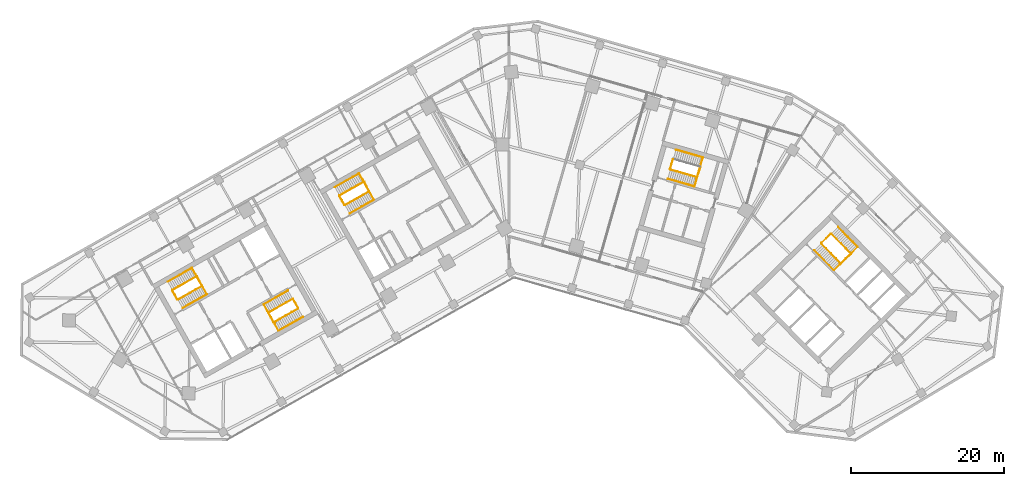
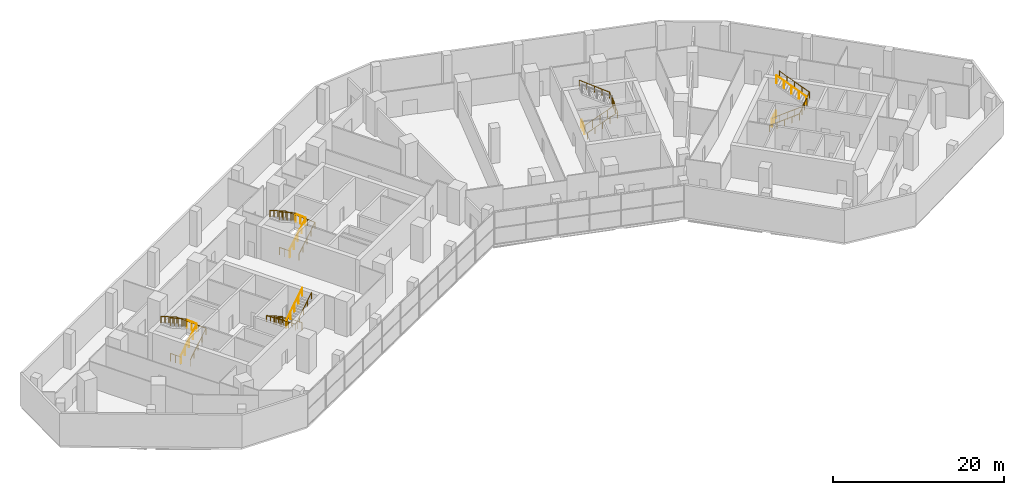
# One storey, part 14 of 15: 19 railings.
"""IFC4 building model written with IfcOpenShell, lengths in metres."""

from ifc_helpers import new_model, si_unit, direction, frame, origin, origin_2d, place, context, subcontext, project, spatial, circle, extrude, material, type_object, element, save


model = new_model("IFC4")

# Units and contexts
model_context = context("Model", 3, precision=1e-05, world=origin(), true_north=direction((0.0, 1.0)))
body_context = subcontext(model_context, "Body", "Model", "MODEL_VIEW")
ifc_project = project(units=[si_unit("LENGTHUNIT", "METRE"), si_unit("AREAUNIT", "SQUARE_METRE"), si_unit("VOLUMEUNIT", "CUBIC_METRE"), si_unit("PLANEANGLEUNIT", "RADIAN"), si_unit("MASSUNIT", "GRAM", prefix="KILO")], contexts=[model_context])

# Site, building, storey
site_placement = place(None, origin())
site = spatial("IfcSite", under=ifc_project, at=site_placement, CompositionType="ELEMENT")
building_placement = place(site_placement, origin())
building = spatial("IfcBuilding", under=site, at=building_placement, Name="Binnacle Exchange Tower", CompositionType="ELEMENT")
storey_placement = place(building_placement, frame((0.0, 0.0, 16.5)))
storey = spatial("IfcBuildingStorey", under=building, at=storey_placement, Name="L03", CompositionType="ELEMENT", Elevation=16.5)

# Railings
ifc_material_1 = material(Name="Steel guard rail", Category="steel")
railing_type_1 = type_object("IfcRailingType", Name="STAIR GUARD 1100", PredefinedType="GUARDRAIL", material=ifc_material_1)
railing_1_placement = place(storey_placement, frame((-43.26171875, 39.71728515625, 0.178466796875)))
element("IfcRailing", 1, at=railing_1_placement, inside=storey, type_object=railing_type_1, Name="L03 STA1 stair guard 1", PredefinedType="GUARDRAIL", context=body_context, shape_type="SweptSolid", body=[
    extrude(circle(Radius=0.02392578125, at=origin_2d()), frame((0.0, 0.0, 1.076171875), z_axis=(0.733795554141, 0.415191658331, 0.537735968274), x_axis=(-0.492450612189, 0.870340390052, 0.0)), (0.0, 0.0, 1.0), 4.317138671875),
    extrude(circle(Radius=0.02392578125, at=origin_2d()), frame((3.16796875, 1.79248046875, 3.3974609375), z_axis=(-0.460963092712, 0.887419307406, 0.0), x_axis=(-0.887419307406, -0.460963092712, 0.0)), (0.0, 0.0, 1.0), 1.40087890625),
    extrude(circle(Radius=0.02099609375, at=origin_2d()), origin(), (0.0, 0.0, 1.0), 1.052001953125),
    extrude(circle(Radius=0.02099609375, at=origin_2d()), frame((0.7919921875, 0.4482421875, 0.580322265625)), (0.0, 0.0, 1.0), 1.052001953125),
    extrude(circle(Radius=0.02099609375, at=origin_2d()), frame((1.583984375, 0.896240234375, 1.16064453125)), (0.0, 0.0, 1.0), 1.052001953125),
    extrude(circle(Radius=0.02099609375, at=origin_2d()), frame((2.3759765625, 1.34423828125, 1.7412109375)), (0.0, 0.0, 1.0), 1.052001953125),
    extrude(circle(Radius=0.02099609375, at=origin_2d()), frame((3.16796875, 1.79248046875, 2.321533203125)), (0.0, 0.0, 1.0), 1.052001953125),
    extrude(circle(Radius=0.02099609375, at=origin_2d()), frame((2.84521484375, 2.4140625, 2.321533203125)), (0.0, 0.0, 1.0), 1.052001953125),
    extrude(circle(Radius=0.02099609375, at=origin_2d()), frame((2.522216796875, 3.03564453125, 2.321533203125)), (0.0, 0.0, 1.0), 1.052001953125),
])
railing_2_placement = place(storey_placement, frame((-40.8076171875, 42.771728515625, 2.678466796875)))
element("IfcRailing", 2, at=railing_2_placement, inside=storey, type_object=railing_type_1, Name="L03 STA1 stair guard 2", PredefinedType="GUARDRAIL", context=body_context, shape_type="SweptSolid", body=[
    extrude(circle(Radius=0.02392578125, at=origin_2d()), frame((0.0, 0.0, 1.076171875), z_axis=(-0.733821652932, -0.415174429824, 0.537713654753), x_axis=(0.492421866095, -0.870356654361, 0.0)), (0.0, 0.0, 1.0), 4.3173828125),
    extrude(circle(Radius=0.02099609375, at=origin_2d()), origin(), (0.0, 0.0, 1.0), 1.052001953125),
    extrude(circle(Radius=0.02099609375, at=origin_2d()), frame((-0.7919921875, -0.4482421875, 0.580322265625)), (0.0, 0.0, 1.0), 1.052001953125),
    extrude(circle(Radius=0.02099609375, at=origin_2d()), frame((-1.583984375, -0.896240234375, 1.16064453125)), (0.0, 0.0, 1.0), 1.052001953125),
    extrude(circle(Radius=0.02099609375, at=origin_2d()), frame((-2.376220703125, -1.34423828125, 1.7412109375)), (0.0, 0.0, 1.0), 1.052001953125),
    extrude(circle(Radius=0.02099609375, at=origin_2d()), frame((-3.168212890625, -1.79248046875, 2.321533203125)), (0.0, 0.0, 1.0), 1.052001953125),
])
railing_3_placement = place(storey_placement, frame((-43.329833984375, 39.736328125, 0.0)))
element("IfcRailing", 3, at=railing_3_placement, inside=storey, type_object=railing_type_1, Name="L03 STA1 stair guard 3", PredefinedType="GUARDRAIL", context=body_context, shape_type="SweptSolid", body=[
    extrude(circle(Radius=0.02392578125, at=origin_2d()), frame((0.0, 0.0, 1.076171875), z_axis=(-0.4924922531, 0.870316827734, 0.0), x_axis=(-0.870316827734, -0.4924922531, 0.0)), (0.0, 0.0, 1.0), 1.349853515625),
    extrude(circle(Radius=0.02099609375, at=origin_2d()), origin(), (0.0, 0.0, 1.0), 1.052001953125),
    extrude(circle(Radius=0.02099609375, at=origin_2d()), frame((-0.33251953125, 0.58740234375, 0.0)), (0.0, 0.0, 1.0), 1.052001953125),
    extrude(circle(Radius=0.02099609375, at=origin_2d()), frame((-0.664794921875, 1.1748046875, 0.0)), (0.0, 0.0, 1.0), 1.052001953125),
])
railing_4_placement = place(storey_placement, frame((-28.265380859375, 39.814453125, 0.178466796875)))
element("IfcRailing", 4, at=railing_4_placement, inside=storey, type_object=railing_type_1, Name="L03 STA2 stair guard 1", PredefinedType="GUARDRAIL", context=body_context, shape_type="SweptSolid", body=[
    extrude(circle(Radius=0.02392578125, at=origin_2d()), frame((0.0, 0.0, 1.076171875), z_axis=(-0.733821652932, -0.415174429824, 0.537713654753), x_axis=(0.492421866095, -0.870356654361, 0.0)), (0.0, 0.0, 1.0), 4.3173828125),
    extrude(circle(Radius=0.02392578125, at=origin_2d()), frame((-3.168212890625, -1.79248046875, 3.3974609375), z_axis=(0.461100321709, -0.887348011391, 0.0), x_axis=(0.887348011391, 0.461100321709, 0.0)), (0.0, 0.0, 1.0), 1.40087890625),
    extrude(circle(Radius=0.02099609375, at=origin_2d()), origin(), (0.0, 0.0, 1.0), 1.052001953125),
    extrude(circle(Radius=0.02099609375, at=origin_2d()), frame((-0.7919921875, -0.4482421875, 0.580322265625)), (0.0, 0.0, 1.0), 1.052001953125),
    extrude(circle(Radius=0.02099609375, at=origin_2d()), frame((-1.583984375, -0.896240234375, 1.16064453125)), (0.0, 0.0, 1.0), 1.052001953125),
    extrude(circle(Radius=0.02099609375, at=origin_2d()), frame((-2.376220703125, -1.34423828125, 1.7412109375)), (0.0, 0.0, 1.0), 1.052001953125),
    extrude(circle(Radius=0.02099609375, at=origin_2d()), frame((-3.168212890625, -1.79248046875, 2.321533203125)), (0.0, 0.0, 1.0), 1.052001953125),
    extrude(circle(Radius=0.02099609375, at=origin_2d()), frame((-2.84521484375, -2.4140625, 2.321533203125)), (0.0, 0.0, 1.0), 1.052001953125),
    extrude(circle(Radius=0.02099609375, at=origin_2d()), frame((-2.522216796875, -3.03564453125, 2.321533203125)), (0.0, 0.0, 1.0), 1.052001953125),
])
railing_5_placement = place(storey_placement, frame((-30.719482421875, 36.760009765625, 2.678466796875)))
element("IfcRailing", 5, at=railing_5_placement, inside=storey, type_object=railing_type_1, Name="L03 STA2 stair guard 2", PredefinedType="GUARDRAIL", context=body_context, shape_type="SweptSolid", body=[
    extrude(circle(Radius=0.02392578125, at=origin_2d()), frame((0.0, 0.0, 1.076171875), z_axis=(0.733795554141, 0.415191658331, 0.537735968274), x_axis=(-0.492450612189, 0.870340390052, 0.0)), (0.0, 0.0, 1.0), 4.317138671875),
    extrude(circle(Radius=0.02099609375, at=origin_2d()), origin(), (0.0, 0.0, 1.0), 1.052001953125),
    extrude(circle(Radius=0.02099609375, at=origin_2d()), frame((0.7919921875, 0.4482421875, 0.580322265625)), (0.0, 0.0, 1.0), 1.052001953125),
    extrude(circle(Radius=0.02099609375, at=origin_2d()), frame((1.583984375, 0.896240234375, 1.16064453125)), (0.0, 0.0, 1.0), 1.052001953125),
    extrude(circle(Radius=0.02099609375, at=origin_2d()), frame((2.3759765625, 1.34423828125, 1.7412109375)), (0.0, 0.0, 1.0), 1.052001953125),
    extrude(circle(Radius=0.02099609375, at=origin_2d()), frame((3.16796875, 1.79248046875, 2.321533203125)), (0.0, 0.0, 1.0), 1.052001953125),
])
railing_6_placement = place(storey_placement, frame((-28.197265625, 39.795654296875, 0.0)))
element("IfcRailing", 6, at=railing_6_placement, inside=storey, type_object=railing_type_1, Name="L03 STA2 stair guard 3", PredefinedType="GUARDRAIL", context=body_context, shape_type="SweptSolid", body=[
    extrude(circle(Radius=0.02392578125, at=origin_2d()), frame((0.0, 0.0, 1.076171875), z_axis=(0.49241474071, -0.870360685654, 0.0), x_axis=(0.870360685654, 0.49241474071, 0.0)), (0.0, 0.0, 1.0), 1.35009765625),
    extrude(circle(Radius=0.02099609375, at=origin_2d()), origin(), (0.0, 0.0, 1.0), 1.052001953125),
    extrude(circle(Radius=0.02099609375, at=origin_2d()), frame((0.33251953125, -0.58740234375, 0.0)), (0.0, 0.0, 1.0), 1.052001953125),
    extrude(circle(Radius=0.02099609375, at=origin_2d()), frame((0.664794921875, -1.175048828125, 0.0)), (0.0, 0.0, 1.0), 1.052001953125),
])
railing_7_placement = place(storey_placement, frame((40.822509765625, 47.046875, 0.178466796875)))
element("IfcRailing", 7, at=railing_7_placement, inside=storey, type_object=railing_type_1, Name="L03 STB1 stair guard 1", PredefinedType="GUARDRAIL", context=body_context, shape_type="SweptSolid", body=[
    extrude(circle(Radius=0.02392578125, at=origin_2d()), frame((0.0, 0.0, 1.076171875), z_axis=(0.590946962671, -0.60135215321, 0.537733461056), x_axis=(0.713250539553, 0.700909172309, 0.0)), (0.0, 0.0, 1.0), 4.317138671875),
    extrude(circle(Radius=0.02392578125, at=origin_2d()), frame((2.55126953125, -2.59619140625, 3.3974609375), z_axis=(0.732527851538, 0.680737061369, 0.0), x_axis=(-0.680737061369, 0.732527851538, 0.0)), (0.0, 0.0, 1.0), 1.80078125),
    extrude(circle(Radius=0.02099609375, at=origin_2d()), origin(), (0.0, 0.0, 1.0), 1.052001953125),
    extrude(circle(Radius=0.02099609375, at=origin_2d()), frame((0.6376953125, -0.64892578125, 0.580322265625)), (0.0, 0.0, 1.0), 1.052001953125),
    extrude(circle(Radius=0.02099609375, at=origin_2d()), frame((1.275634765625, -1.298095703125, 1.16064453125)), (0.0, 0.0, 1.0), 1.052001953125),
    extrude(circle(Radius=0.02099609375, at=origin_2d()), frame((1.91357421875, -1.947265625, 1.7412109375)), (0.0, 0.0, 1.0), 1.052001953125),
    extrude(circle(Radius=0.02099609375, at=origin_2d()), frame((2.55126953125, -2.59619140625, 2.321533203125)), (0.0, 0.0, 1.0), 1.052001953125),
    extrude(circle(Radius=0.02099609375, at=origin_2d()), frame((3.2109375, -1.9833984375, 2.321533203125)), (0.0, 0.0, 1.0), 1.052001953125),
    extrude(circle(Radius=0.02099609375, at=origin_2d()), frame((3.870361328125, -1.370361328125, 2.321533203125)), (0.0, 0.0, 1.0), 1.052001953125),
])
railing_8_placement = place(storey_placement, frame((44.693359375, 45.747314453125, 2.678466796875)))
element("IfcRailing", 8, at=railing_8_placement, inside=storey, type_object=railing_type_1, Name="L03 STB1 stair guard 2", PredefinedType="GUARDRAIL", context=body_context, shape_type="SweptSolid", body=[
    extrude(circle(Radius=0.02392578125, at=origin_2d()), frame((0.0, 0.0, 1.076171875), z_axis=(-0.590946962671, 0.60135215321, 0.537733461056), x_axis=(-0.713250539553, -0.700909172309, 0.0)), (0.0, 0.0, 1.0), 4.317138671875),
    extrude(circle(Radius=0.02099609375, at=origin_2d()), origin(), (0.0, 0.0, 1.0), 1.052001953125),
    extrude(circle(Radius=0.02099609375, at=origin_2d()), frame((-0.6376953125, 0.64892578125, 0.580322265625)), (0.0, 0.0, 1.0), 1.052001953125),
    extrude(circle(Radius=0.02099609375, at=origin_2d()), frame((-1.275634765625, 1.298095703125, 1.16064453125)), (0.0, 0.0, 1.0), 1.052001953125),
    extrude(circle(Radius=0.02099609375, at=origin_2d()), frame((-1.91357421875, 1.947265625, 1.7412109375)), (0.0, 0.0, 1.0), 1.052001953125),
    extrude(circle(Radius=0.02099609375, at=origin_2d()), frame((-2.55126953125, 2.59619140625, 2.321533203125)), (0.0, 0.0, 1.0), 1.052001953125),
])
railing_9_placement = place(storey_placement, frame((40.8232421875, 47.117431640625, 0.0)))
element("IfcRailing", 9, at=railing_9_placement, inside=storey, type_object=railing_type_1, Name="L03 STB1 stair guard 3", PredefinedType="GUARDRAIL", context=body_context, shape_type="SweptSolid", body=[
    extrude(circle(Radius=0.02392578125, at=origin_2d()), frame((0.0, 0.0, 1.076171875), z_axis=(0.713218950569, 0.700941316052, 0.0), x_axis=(-0.700941316052, 0.713218950569, 0.0)), (0.0, 0.0, 1.0), 1.75),
    extrude(circle(Radius=0.02099609375, at=origin_2d()), origin(), (0.0, 0.0, 1.0), 1.052001953125),
    extrude(circle(Radius=0.02099609375, at=origin_2d()), frame((0.6240234375, 0.61328125, 0.0)), (0.0, 0.0, 1.0), 1.052001953125),
    extrude(circle(Radius=0.02099609375, at=origin_2d()), frame((1.248046875, 1.2265625, 0.0)), (0.0, 0.0, 1.0), 1.052001953125),
])
railing_10_placement = place(storey_placement, frame((-21.423828125, 52.07275390625, 0.178466796875)))
element("IfcRailing", 10, at=railing_10_placement, inside=storey, type_object=railing_type_1, Name="L03 STC1 stair guard 1", PredefinedType="GUARDRAIL", context=body_context, shape_type="SweptSolid", body=[
    extrude(circle(Radius=0.02392578125, at=origin_2d()), frame((0.0, 0.0, 1.076171875), z_axis=(0.733838880464, 0.415127627455, 0.537726278364), x_axis=(-0.492371057291, 0.870385398511, 0.0)), (0.0, 0.0, 1.0), 4.3173828125),
    extrude(circle(Radius=0.02392578125, at=origin_2d()), frame((3.168212890625, 1.792236328125, 3.3974609375), z_axis=(-0.461100321709, 0.887348011391, 0.0), x_axis=(-0.887348011391, -0.461100321709, 0.0)), (0.0, 0.0, 1.0), 1.40087890625),
    extrude(circle(Radius=0.02099609375, at=origin_2d()), origin(), (0.0, 0.0, 1.0), 1.052001953125),
    extrude(circle(Radius=0.02099609375, at=origin_2d()), frame((0.7919921875, 0.447998046875, 0.580322265625)), (0.0, 0.0, 1.0), 1.052001953125),
    extrude(circle(Radius=0.02099609375, at=origin_2d()), frame((1.583984375, 0.89599609375, 1.16064453125)), (0.0, 0.0, 1.0), 1.052001953125),
    extrude(circle(Radius=0.02099609375, at=origin_2d()), frame((2.376220703125, 1.34423828125, 1.7412109375)), (0.0, 0.0, 1.0), 1.052001953125),
    extrude(circle(Radius=0.02099609375, at=origin_2d()), frame((3.168212890625, 1.792236328125, 2.321533203125)), (0.0, 0.0, 1.0), 1.052001953125),
    extrude(circle(Radius=0.02099609375, at=origin_2d()), frame((2.84521484375, 2.413818359375, 2.321533203125)), (0.0, 0.0, 1.0), 1.052001953125),
    extrude(circle(Radius=0.02099609375, at=origin_2d()), frame((2.522216796875, 3.035400390625, 2.321533203125)), (0.0, 0.0, 1.0), 1.052001953125),
])
railing_11_placement = place(storey_placement, frame((-18.9697265625, 55.126953125, 2.678466796875)))
element("IfcRailing", 11, at=railing_11_placement, inside=storey, type_object=railing_type_1, Name="L03 STC1 stair guard 2", PredefinedType="GUARDRAIL", context=body_context, shape_type="SweptSolid", body=[
    extrude(circle(Radius=0.02392578125, at=origin_2d()), frame((0.0, 0.0, 1.076171875), z_axis=(-0.733812782489, -0.415144854829, 0.537748593457), x_axis=(0.492399802317, -0.870369137021, 0.0)), (0.0, 0.0, 1.0), 4.317138671875),
    extrude(circle(Radius=0.02099609375, at=origin_2d()), origin(), (0.0, 0.0, 1.0), 1.052001953125),
    extrude(circle(Radius=0.02099609375, at=origin_2d()), frame((-0.7919921875, -0.447998046875, 0.580322265625)), (0.0, 0.0, 1.0), 1.052001953125),
    extrude(circle(Radius=0.02099609375, at=origin_2d()), frame((-1.583984375, -0.89599609375, 1.16064453125)), (0.0, 0.0, 1.0), 1.052001953125),
    extrude(circle(Radius=0.02099609375, at=origin_2d()), frame((-2.3759765625, -1.34423828125, 1.7412109375)), (0.0, 0.0, 1.0), 1.052001953125),
    extrude(circle(Radius=0.02099609375, at=origin_2d()), frame((-3.16796875, -1.792236328125, 2.321533203125)), (0.0, 0.0, 1.0), 1.052001953125),
])
railing_12_placement = place(storey_placement, frame((-21.491943359375, 52.091552734375, 0.0)))
element("IfcRailing", 12, at=railing_12_placement, inside=storey, type_object=railing_type_1, Name="L03 STC1 stair guard 3", PredefinedType="GUARDRAIL", context=body_context, shape_type="SweptSolid", body=[
    extrude(circle(Radius=0.02392578125, at=origin_2d()), frame((0.0, 0.0, 1.076171875), z_axis=(-0.49241474071, 0.870360685654, 0.0), x_axis=(-0.870360685654, -0.49241474071, 0.0)), (0.0, 0.0, 1.0), 1.35009765625),
    extrude(circle(Radius=0.02099609375, at=origin_2d()), origin(), (0.0, 0.0, 1.0), 1.052001953125),
    extrude(circle(Radius=0.02099609375, at=origin_2d()), frame((-0.33251953125, 0.58740234375, 0.0)), (0.0, 0.0, 1.0), 1.052001953125),
    extrude(circle(Radius=0.02099609375, at=origin_2d()), frame((-0.664794921875, 1.175048828125, 0.0)), (0.0, 0.0, 1.0), 1.052001953125),
])
railing_13_placement = place(storey_placement, frame((21.086669921875, 56.71044921875, 0.178466796875)))
element("IfcRailing", 13, at=railing_13_placement, inside=storey, type_object=railing_type_1, Name="L03 STD1 stair guard 1", PredefinedType="GUARDRAIL", context=body_context, shape_type="SweptSolid", body=[
    extrude(circle(Radius=0.02392578125, at=origin_2d()), frame((0.0, 0.0, 1.076171875), z_axis=(0.810455892038, -0.232415135102, 0.537721537635), x_axis=(0.275659984683, 0.961255206927, 0.0)), (0.0, 0.0, 1.0), 4.3173828125),
    extrude(circle(Radius=0.02392578125, at=origin_2d()), frame((3.4990234375, -1.00341796875, 3.3974609375), z_axis=(0.309684985722, 0.950839213337, 0.0), x_axis=(-0.950839213337, 0.309684985722, 0.0)), (0.0, 0.0, 1.0), 1.40087890625),
    extrude(circle(Radius=0.02099609375, at=origin_2d()), origin(), (0.0, 0.0, 1.0), 1.052001953125),
    extrude(circle(Radius=0.02099609375, at=origin_2d()), frame((0.874755859375, -0.2509765625, 0.580322265625)), (0.0, 0.0, 1.0), 1.052001953125),
    extrude(circle(Radius=0.02099609375, at=origin_2d()), frame((1.74951171875, -0.501708984375, 1.16064453125)), (0.0, 0.0, 1.0), 1.052001953125),
    extrude(circle(Radius=0.02099609375, at=origin_2d()), frame((2.624267578125, -0.75244140625, 1.7412109375)), (0.0, 0.0, 1.0), 1.052001953125),
    extrude(circle(Radius=0.02099609375, at=origin_2d()), frame((3.4990234375, -1.00341796875, 2.321533203125)), (0.0, 0.0, 1.0), 1.052001953125),
    extrude(circle(Radius=0.02099609375, at=origin_2d()), frame((3.7158203125, -0.33740234375, 2.321533203125)), (0.0, 0.0, 1.0), 1.052001953125),
    extrude(circle(Radius=0.02099609375, at=origin_2d()), frame((3.932861328125, 0.32861328125, 2.321533203125)), (0.0, 0.0, 1.0), 1.052001953125),
])
railing_14_placement = place(storey_placement, frame((21.05224609375, 56.772216796875, 0.0)))
element("IfcRailing", 14, at=railing_14_placement, inside=storey, type_object=railing_type_1, Name="L03 STD1 stair guard 3", PredefinedType="GUARDRAIL", context=body_context, shape_type="SweptSolid", body=[
    extrude(circle(Radius=0.02392578125, at=origin_2d()), frame((0.0, 0.0, 1.076171875), z_axis=(0.275795817769, 0.961216243569, 0.0), x_axis=(-0.961216243569, 0.275795817769, 0.0)), (0.0, 0.0, 1.0), 1.349853515625),
    extrude(circle(Radius=0.02099609375, at=origin_2d()), origin(), (0.0, 0.0, 1.0), 1.052001953125),
    extrude(circle(Radius=0.02099609375, at=origin_2d()), frame((0.18603515625, 0.64892578125, 0.0)), (0.0, 0.0, 1.0), 1.052001953125),
    extrude(circle(Radius=0.02099609375, at=origin_2d()), frame((0.372314453125, 1.297607421875, 0.0)), (0.0, 0.0, 1.0), 1.052001953125),
])
ifc_material_2 = material(Name="Steel handrail", Category="steel")
railing_type_2 = type_object("IfcRailingType", Name="STAIR HANDRAIL 900", PredefinedType="HANDRAIL", material=ifc_material_2)
railing_15_placement = place(storey_placement, frame((-42.646240234375, 38.62939453125, 0.178466796875)))
element("IfcRailing", 15, at=railing_15_placement, inside=storey, type_object=railing_type_2, Name="L03 STA1 stair handrail 1", PredefinedType="HANDRAIL", context=body_context, shape_type="SweptSolid", body=[
    extrude(circle(Radius=0.02392578125, at=origin_2d()), frame((0.0, 0.0, 0.8759765625), z_axis=(0.733821652932, 0.415174429824, 0.537713654753), x_axis=(-0.492421866095, 0.870356654361, 0.0)), (0.0, 0.0, 1.0), 4.3173828125),
    extrude(circle(Radius=0.02392578125, at=origin_2d()), frame((3.168212890625, 1.79248046875, 3.197265625), z_axis=(-0.491985021148, 0.869432866815, 0.045135674003), x_axis=(-0.870319839224, -0.492486931251, 0.0)), (0.0, 0.0, 1.0), 3.9541015625),
    extrude(circle(Radius=0.02392578125, at=origin_2d()), frame((1.222900390625, 5.230224609375, 3.3759765625), z_axis=(-0.733812782489, -0.415144854829, 0.537748593457), x_axis=(0.492399802317, -0.870369137021, 0.0)), (0.0, 0.0, 1.0), 4.317138671875),
    extrude(circle(Radius=0.02099609375, at=origin_2d()), origin(), (0.0, 0.0, 1.0), 0.851806640625),
    extrude(circle(Radius=0.02099609375, at=origin_2d()), frame((0.7919921875, 0.4482421875, 0.580322265625)), (0.0, 0.0, 1.0), 0.851806640625),
    extrude(circle(Radius=0.02099609375, at=origin_2d()), frame((1.583984375, 0.896240234375, 1.16064453125)), (0.0, 0.0, 1.0), 0.851806640625),
    extrude(circle(Radius=0.02099609375, at=origin_2d()), frame((2.376220703125, 1.34423828125, 1.7412109375)), (0.0, 0.0, 1.0), 0.851806640625),
    extrude(circle(Radius=0.02099609375, at=origin_2d()), frame((3.168212890625, 1.79248046875, 2.321533203125)), (0.0, 0.0, 1.0), 0.851806640625),
    extrude(circle(Radius=0.02099609375, at=origin_2d()), frame((2.681884765625, 2.65185546875, 2.3662109375)), (0.0, 0.0, 1.0), 0.851806640625),
    extrude(circle(Radius=0.02099609375, at=origin_2d()), frame((2.195556640625, 3.51123046875, 2.41064453125)), (0.0, 0.0, 1.0), 0.851806640625),
    extrude(circle(Radius=0.02099609375, at=origin_2d()), frame((1.709228515625, 4.370849609375, 2.455322265625)), (0.0, 0.0, 1.0), 0.851806640625),
    extrude(circle(Radius=0.02099609375, at=origin_2d()), frame((1.222900390625, 5.230224609375, 2.5)), (0.0, 0.0, 1.0), 0.851806640625),
    extrude(circle(Radius=0.02099609375, at=origin_2d()), frame((0.430908203125, 4.7822265625, 3.080322265625)), (0.0, 0.0, 1.0), 0.851806640625),
    extrude(circle(Radius=0.02099609375, at=origin_2d()), frame((-0.361083984375, 4.333984375, 3.66064453125)), (0.0, 0.0, 1.0), 0.851806640625),
    extrude(circle(Radius=0.02099609375, at=origin_2d()), frame((-1.153076171875, 3.885986328125, 4.2412109375)), (0.0, 0.0, 1.0), 0.851806640625),
    extrude(circle(Radius=0.02099609375, at=origin_2d()), frame((-1.945068359375, 3.43798828125, 4.821533203125)), (0.0, 0.0, 1.0), 0.851806640625),
])
railing_16_placement = place(storey_placement, frame((-28.880859375, 40.90234375, 0.178466796875)))
element("IfcRailing", 16, at=railing_16_placement, inside=storey, type_object=railing_type_2, Name="L03 STA2 stair handrail 1", PredefinedType="HANDRAIL", context=body_context, shape_type="SweptSolid", body=[
    extrude(circle(Radius=0.02392578125, at=origin_2d()), frame((0.0, 0.0, 0.8759765625), z_axis=(-0.733838880464, -0.415127627455, 0.537726278364), x_axis=(0.492371057291, -0.870385398511, 0.0)), (0.0, 0.0, 1.0), 4.3173828125),
    extrude(circle(Radius=0.02392578125, at=origin_2d()), frame((-3.168212890625, -1.792236328125, 3.197265625), z_axis=(0.491911810019, -0.86947434526, 0.045134621956), x_axis=(0.870361318571, 0.492413622004, 0.0)), (0.0, 0.0, 1.0), 3.9541015625),
    extrude(circle(Radius=0.02392578125, at=origin_2d()), frame((-1.22314453125, -5.230224609375, 3.3759765625), z_axis=(0.733821652932, 0.415174429824, 0.537713654753), x_axis=(-0.492421866095, 0.870356654361, 0.0)), (0.0, 0.0, 1.0), 4.3173828125),
    extrude(circle(Radius=0.02099609375, at=origin_2d()), origin(), (0.0, 0.0, 1.0), 0.851806640625),
    extrude(circle(Radius=0.02099609375, at=origin_2d()), frame((-0.7919921875, -0.447998046875, 0.580322265625)), (0.0, 0.0, 1.0), 0.851806640625),
    extrude(circle(Radius=0.02099609375, at=origin_2d()), frame((-1.583984375, -0.89599609375, 1.16064453125)), (0.0, 0.0, 1.0), 0.851806640625),
    extrude(circle(Radius=0.02099609375, at=origin_2d()), frame((-2.376220703125, -1.34423828125, 1.7412109375)), (0.0, 0.0, 1.0), 0.851806640625),
    extrude(circle(Radius=0.02099609375, at=origin_2d()), frame((-3.168212890625, -1.792236328125, 2.321533203125)), (0.0, 0.0, 1.0), 0.851806640625),
    extrude(circle(Radius=0.02099609375, at=origin_2d()), frame((-2.681884765625, -2.65185546875, 2.3662109375)), (0.0, 0.0, 1.0), 0.851806640625),
    extrude(circle(Radius=0.02099609375, at=origin_2d()), frame((-2.19580078125, -3.51123046875, 2.41064453125)), (0.0, 0.0, 1.0), 0.851806640625),
    extrude(circle(Radius=0.02099609375, at=origin_2d()), frame((-1.70947265625, -4.37060546875, 2.455322265625)), (0.0, 0.0, 1.0), 0.851806640625),
    extrude(circle(Radius=0.02099609375, at=origin_2d()), frame((-1.22314453125, -5.230224609375, 2.5)), (0.0, 0.0, 1.0), 0.851806640625),
    extrude(circle(Radius=0.02099609375, at=origin_2d()), frame((-0.43115234375, -4.7822265625, 3.080322265625)), (0.0, 0.0, 1.0), 0.851806640625),
    extrude(circle(Radius=0.02099609375, at=origin_2d()), frame((0.36083984375, -4.333984375, 3.66064453125)), (0.0, 0.0, 1.0), 0.851806640625),
    extrude(circle(Radius=0.02099609375, at=origin_2d()), frame((1.153076171875, -3.8857421875, 4.2412109375)), (0.0, 0.0, 1.0), 0.851806640625),
    extrude(circle(Radius=0.02099609375, at=origin_2d()), frame((1.945068359375, -3.437744140625, 4.821533203125)), (0.0, 0.0, 1.0), 0.851806640625),
])
railing_17_placement = place(storey_placement, frame((39.930908203125, 46.170654296875, 0.178466796875)))
element("IfcRailing", 17, at=railing_17_placement, inside=storey, type_object=railing_type_2, Name="L03 STB1 stair handrail 1", PredefinedType="HANDRAIL", context=body_context, shape_type="SweptSolid", body=[
    extrude(circle(Radius=0.02392578125, at=origin_2d()), frame((0.0, 0.0, 0.8759765625), z_axis=(0.590983762497, -0.601332057257, 0.53771549111), x_axis=(0.713217009097, 0.700943291525, 0.0)), (0.0, 0.0, 1.0), 4.3173828125),
    extrude(circle(Radius=0.02392578125, at=origin_2d()), frame((2.551513671875, -2.59619140625, 3.197265625), z_axis=(0.712654164256, 0.700316745611, 0.040993877406), x_axis=(-0.700905928746, 0.713253726978, 0.0)), (0.0, 0.0, 1.0), 4.353515625),
    extrude(circle(Radius=0.02392578125, at=origin_2d()), frame((5.654052734375, 0.45263671875, 3.3759765625), z_axis=(-0.590926866753, 0.601388251475, 0.537715174732), x_axis=(-0.713283488215, -0.700875641922, 0.0)), (0.0, 0.0, 1.0), 4.3173828125),
    extrude(circle(Radius=0.02099609375, at=origin_2d()), origin(), (0.0, 0.0, 1.0), 0.851806640625),
    extrude(circle(Radius=0.02099609375, at=origin_2d()), frame((0.637939453125, -0.64892578125, 0.580322265625)), (0.0, 0.0, 1.0), 0.851806640625),
    extrude(circle(Radius=0.02099609375, at=origin_2d()), frame((1.27587890625, -1.298095703125, 1.16064453125)), (0.0, 0.0, 1.0), 0.851806640625),
    extrude(circle(Radius=0.02099609375, at=origin_2d()), frame((1.91357421875, -1.947265625, 1.7412109375)), (0.0, 0.0, 1.0), 0.851806640625),
    extrude(circle(Radius=0.02099609375, at=origin_2d()), frame((2.551513671875, -2.59619140625, 2.321533203125)), (0.0, 0.0, 1.0), 0.851806640625),
    extrude(circle(Radius=0.02099609375, at=origin_2d()), frame((3.3271484375, -1.833984375, 2.3662109375)), (0.0, 0.0, 1.0), 0.851806640625),
    extrude(circle(Radius=0.02099609375, at=origin_2d()), frame((4.102783203125, -1.07177734375, 2.41064453125)), (0.0, 0.0, 1.0), 0.851806640625),
    extrude(circle(Radius=0.02099609375, at=origin_2d()), frame((4.87841796875, -0.3095703125, 2.455322265625)), (0.0, 0.0, 1.0), 0.851806640625),
    extrude(circle(Radius=0.02099609375, at=origin_2d()), frame((5.654052734375, 0.45263671875, 2.5)), (0.0, 0.0, 1.0), 0.851806640625),
    extrude(circle(Radius=0.02099609375, at=origin_2d()), frame((5.01611328125, 1.101806640625, 3.080322265625)), (0.0, 0.0, 1.0), 0.851806640625),
    extrude(circle(Radius=0.02099609375, at=origin_2d()), frame((4.37841796875, 1.7509765625, 3.66064453125)), (0.0, 0.0, 1.0), 0.851806640625),
    extrude(circle(Radius=0.02099609375, at=origin_2d()), frame((3.74072265625, 2.39990234375, 4.2412109375)), (0.0, 0.0, 1.0), 0.851806640625),
    extrude(circle(Radius=0.02099609375, at=origin_2d()), frame((3.102783203125, 3.049072265625, 4.821533203125)), (0.0, 0.0, 1.0), 0.851806640625),
])
railing_18_placement = place(storey_placement, frame((-20.808349609375, 50.984619140625, 0.178466796875)))
element("IfcRailing", 18, at=railing_18_placement, inside=storey, type_object=railing_type_2, Name="L03 STC1 stair handrail 1", PredefinedType="HANDRAIL", context=body_context, shape_type="SweptSolid", body=[
    extrude(circle(Radius=0.02392578125, at=origin_2d()), frame((0.0, 0.0, 0.8759765625), z_axis=(0.733821652932, 0.415174429824, 0.537713654753), x_axis=(-0.492421866095, 0.870356654361, 0.0)), (0.0, 0.0, 1.0), 4.3173828125),
    extrude(circle(Radius=0.02392578125, at=origin_2d()), frame((3.168212890625, 1.79248046875, 3.197265625), z_axis=(-0.491911810019, 0.86947434526, 0.045134621956), x_axis=(-0.870361318571, -0.492413622004, 0.0)), (0.0, 0.0, 1.0), 3.9541015625),
    extrude(circle(Radius=0.02392578125, at=origin_2d()), frame((1.22314453125, 5.23046875, 3.3759765625), z_axis=(-0.733821652932, -0.415174429824, 0.537713654753), x_axis=(0.492421866095, -0.870356654361, 0.0)), (0.0, 0.0, 1.0), 4.3173828125),
    extrude(circle(Radius=0.02099609375, at=origin_2d()), origin(), (0.0, 0.0, 1.0), 0.851806640625),
    extrude(circle(Radius=0.02099609375, at=origin_2d()), frame((0.7919921875, 0.4482421875, 0.580322265625)), (0.0, 0.0, 1.0), 0.851806640625),
    extrude(circle(Radius=0.02099609375, at=origin_2d()), frame((1.583984375, 0.896240234375, 1.16064453125)), (0.0, 0.0, 1.0), 0.851806640625),
    extrude(circle(Radius=0.02099609375, at=origin_2d()), frame((2.376220703125, 1.34423828125, 1.7412109375)), (0.0, 0.0, 1.0), 0.851806640625),
    extrude(circle(Radius=0.02099609375, at=origin_2d()), frame((3.168212890625, 1.79248046875, 2.321533203125)), (0.0, 0.0, 1.0), 0.851806640625),
    extrude(circle(Radius=0.02099609375, at=origin_2d()), frame((2.681884765625, 2.65185546875, 2.3662109375)), (0.0, 0.0, 1.0), 0.851806640625),
    extrude(circle(Radius=0.02099609375, at=origin_2d()), frame((2.19580078125, 3.511474609375, 2.41064453125)), (0.0, 0.0, 1.0), 0.851806640625),
    extrude(circle(Radius=0.02099609375, at=origin_2d()), frame((1.70947265625, 4.37109375, 2.455322265625)), (0.0, 0.0, 1.0), 0.851806640625),
    extrude(circle(Radius=0.02099609375, at=origin_2d()), frame((1.22314453125, 5.23046875, 2.5)), (0.0, 0.0, 1.0), 0.851806640625),
    extrude(circle(Radius=0.02099609375, at=origin_2d()), frame((0.43115234375, 4.7822265625, 3.080322265625)), (0.0, 0.0, 1.0), 0.851806640625),
    extrude(circle(Radius=0.02099609375, at=origin_2d()), frame((-0.36083984375, 4.334228515625, 3.66064453125)), (0.0, 0.0, 1.0), 0.851806640625),
    extrude(circle(Radius=0.02099609375, at=origin_2d()), frame((-1.153076171875, 3.88623046875, 4.2412109375)), (0.0, 0.0, 1.0), 0.851806640625),
    extrude(circle(Radius=0.02099609375, at=origin_2d()), frame((-1.945068359375, 3.43798828125, 4.821533203125)), (0.0, 0.0, 1.0), 0.851806640625),
])
railing_19_placement = place(storey_placement, frame((20.7421875, 55.5087890625, 0.178466796875)))
element("IfcRailing", 19, at=railing_19_placement, inside=storey, type_object=railing_type_2, Name="L03 STD1 stair handrail 1", PredefinedType="HANDRAIL", context=body_context, shape_type="SweptSolid", body=[
    extrude(circle(Radius=0.02392578125, at=origin_2d()), frame((0.0, 0.0, 0.8759765625), z_axis=(0.810436485383, -0.2324257871, 0.537746182368), x_axis=(0.27567775811, 0.961250109848, 0.0)), (0.0, 0.0, 1.0), 4.317138671875),
    extrude(circle(Radius=0.02392578125, at=origin_2d()), frame((3.498779296875, -1.00341796875, 3.197265625), z_axis=(0.275370676617, 0.960278056821, 0.045133624351), x_axis=(-0.961257617982, 0.275651576943, 0.0)), (0.0, 0.0, 1.0), 3.9541015625),
    extrude(circle(Radius=0.02392578125, at=origin_2d()), frame((4.587646484375, 2.793701171875, 3.3759765625), z_axis=(-0.810466542589, 0.232361639932, 0.537728604067), x_axis=(-0.275598008994, -0.961272977587, 0.0)), (0.0, 0.0, 1.0), 4.3173828125),
    extrude(circle(Radius=0.02099609375, at=origin_2d()), origin(), (0.0, 0.0, 1.0), 0.851806640625),
    extrude(circle(Radius=0.02099609375, at=origin_2d()), frame((0.874755859375, -0.2509765625, 0.580322265625)), (0.0, 0.0, 1.0), 0.851806640625),
    extrude(circle(Radius=0.02099609375, at=origin_2d()), frame((1.74951171875, -0.501708984375, 1.16064453125)), (0.0, 0.0, 1.0), 0.851806640625),
    extrude(circle(Radius=0.02099609375, at=origin_2d()), frame((2.6240234375, -0.75244140625, 1.7412109375)), (0.0, 0.0, 1.0), 0.851806640625),
    extrude(circle(Radius=0.02099609375, at=origin_2d()), frame((3.498779296875, -1.00341796875, 2.321533203125)), (0.0, 0.0, 1.0), 0.851806640625),
    extrude(circle(Radius=0.02099609375, at=origin_2d()), frame((3.77099609375, -0.05419921875, 2.3662109375)), (0.0, 0.0, 1.0), 0.851806640625),
    extrude(circle(Radius=0.02099609375, at=origin_2d()), frame((4.043212890625, 0.89501953125, 2.41064453125)), (0.0, 0.0, 1.0), 0.851806640625),
    extrude(circle(Radius=0.02099609375, at=origin_2d()), frame((4.3154296875, 1.844482421875, 2.455322265625)), (0.0, 0.0, 1.0), 0.851806640625),
    extrude(circle(Radius=0.02099609375, at=origin_2d()), frame((4.587646484375, 2.793701171875, 2.5)), (0.0, 0.0, 1.0), 0.851806640625),
    extrude(circle(Radius=0.02099609375, at=origin_2d()), frame((3.712890625, 3.04443359375, 3.080322265625)), (0.0, 0.0, 1.0), 0.851806640625),
    extrude(circle(Radius=0.02099609375, at=origin_2d()), frame((2.838134765625, 3.29541015625, 3.66064453125)), (0.0, 0.0, 1.0), 0.851806640625),
    extrude(circle(Radius=0.02099609375, at=origin_2d()), frame((1.96337890625, 3.546142578125, 4.2412109375)), (0.0, 0.0, 1.0), 0.851806640625),
    extrude(circle(Radius=0.02099609375, at=origin_2d()), frame((1.088623046875, 3.796875, 4.821533203125)), (0.0, 0.0, 1.0), 0.851806640625),
])

save(model, "model.ifc")
